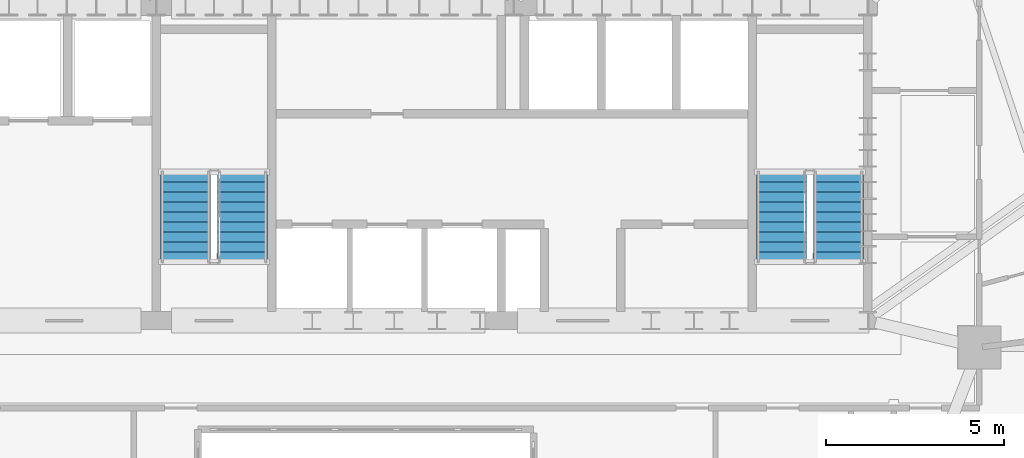
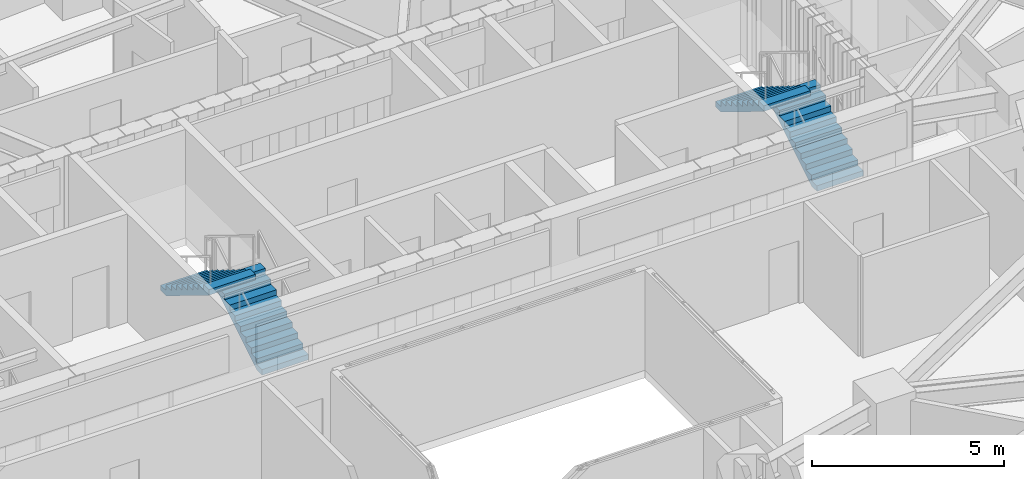
# One storey, part 9 of 13: 4 stair flights, 2 elements without a shape of their own.
"""IFC4 building model written with IfcOpenShell, lengths in metres."""

from ifc_helpers import new_model, si_unit, direction, frame, origin, place, context, subcontext, project, spatial, polyline, outline, extrude, material, type_object, element, aggregate, save


model = new_model("IFC4")

# Units and contexts
model_context = context("Model", 3, precision=1e-05, world=origin(), true_north=direction((0.0, 1.0)))
body_context = subcontext(model_context, "Body", "Model", "MODEL_VIEW")
ifc_project = project(units=[si_unit("LENGTHUNIT", "METRE"), si_unit("AREAUNIT", "SQUARE_METRE"), si_unit("VOLUMEUNIT", "CUBIC_METRE"), si_unit("PLANEANGLEUNIT", "RADIAN"), si_unit("MASSUNIT", "GRAM", prefix="KILO")], contexts=[model_context])

# Site, building, storey
site_placement = place(None, origin())
site = spatial("IfcSite", under=ifc_project, at=site_placement, CompositionType="ELEMENT")
building_placement = place(site_placement, origin())
building = spatial("IfcBuilding", under=site, at=building_placement, Name="Haldorwick Loom Tower", CompositionType="ELEMENT")
storey_placement = place(building_placement, frame((0.0, 0.0, 142.550048828125)))
storey = spatial("IfcBuildingStorey", under=building, at=storey_placement, Name="L38", CompositionType="ELEMENT", Elevation=142.550048828125)

# Stair, stair flights
ifc_material = material(Name="Concrete C40 (40 MPa)", Category="concrete")
stair_type = type_object("IfcStairType", Name="STR-STR-CORE", PredefinedType="HALF_TURN_STAIR", material=ifc_material)
stair_1_placement = place(storey_placement, origin())
stair_1 = element("IfcStair", 1, at=stair_1_placement, inside=storey, type_object=stair_type, Name="L38 Exit Stair ST-02", PredefinedType="HALF_TURN_STAIR")
stair_flight_type = type_object("IfcStairFlightType", Name="STR-STF-1250", PredefinedType="STRAIGHT", material=ifc_material)
stair_flight_1_placement = place(storey_placement, frame((49.25, 28.39990234375, 0.0), z_axis=(0.0, 0.0, 1.0), x_axis=(0.0, 1.0, 0.0)))
stair_flight_1 = element("IfcStairFlight", 2, at=stair_flight_1_placement, type_object=stair_flight_type, Name="ST-02 flight 1", NumberOfRisers=10, NumberOfTreads=9, PredefinedType="STRAIGHT", RiserHeight=0.1725, TreadLength=0.28, context=body_context, shape_type="SweptSolid", body=[
    extrude(outline(polyline([(0.0, 0.0), (0.0, 0.172607421875), (0.280029296875, 0.172607421875), (0.280029296875, 0.344970703125), (0.56005859375, 0.344970703125), (0.56005859375, 0.517578125), (0.840087890625, 0.517578125), (0.840087890625, 0.68994140625), (1.1201171875, 0.68994140625), (1.1201171875, 0.862548828125), (1.39990234375, 0.862548828125), (1.39990234375, 1.034912109375), (1.679931640625, 1.034912109375), (1.679931640625, 1.20751953125), (1.9599609375, 1.20751953125), (1.9599609375, 1.3798828125), (2.239990234375, 1.3798828125), (2.239990234375, 1.552490234375), (2.52001953125, 1.552490234375), (2.52001953125, 1.72509765625), (2.52001953125, 1.37646484375), (0.285888671875, 0.0), (0.0, 0.0)])), frame((0.0, 0.699951171875, 0.0), z_axis=(0.0, -1.0, 0.0), x_axis=(1.0, 0.0, 0.0)), (0.0, 0.0, 1.0), 1.39990234375),
])
stair_flight_2_placement = place(storey_placement, frame((47.64990234375, 30.919921875, 1.724853515625), z_axis=(0.0, 0.0, 1.0), x_axis=(0.0, -1.0, 0.0)))
stair_flight_2 = element("IfcStairFlight", 3, at=stair_flight_2_placement, type_object=stair_flight_type, Name="ST-02 flight 2", NumberOfRisers=10, NumberOfTreads=9, PredefinedType="STRAIGHT", RiserHeight=0.1725, TreadLength=0.28, context=body_context, shape_type="SweptSolid", body=[
    extrude(outline(polyline([(0.0, 0.0), (0.0, 0.172607421875), (0.280029296875, 0.172607421875), (0.280029296875, 0.344970703125), (0.56005859375, 0.344970703125), (0.56005859375, 0.517578125), (0.840087890625, 0.517578125), (0.840087890625, 0.68994140625), (1.1201171875, 0.68994140625), (1.1201171875, 0.862548828125), (1.39990234375, 0.862548828125), (1.39990234375, 1.034912109375), (1.679931640625, 1.034912109375), (1.679931640625, 1.20751953125), (1.9599609375, 1.20751953125), (1.9599609375, 1.3798828125), (2.239990234375, 1.3798828125), (2.239990234375, 1.552490234375), (2.52001953125, 1.552490234375), (2.52001953125, 1.72509765625), (2.52001953125, 1.37646484375), (0.285888671875, 0.0), (0.0, 0.0)])), frame((0.0, 0.699951171875, 0.0), z_axis=(0.0, -1.0, 0.0), x_axis=(1.0, 0.0, 0.0)), (0.0, 0.0, 1.0), 1.39990234375),
])
aggregate(stair_1, [stair_flight_1, stair_flight_2])

stair_2_placement = place(storey_placement, origin())
stair_2 = element("IfcStair", 4, at=stair_2_placement, inside=storey, type_object=stair_type, Name="L38 Exit Stair ST-03", PredefinedType="HALF_TURN_STAIR")
stair_flight_3_placement = place(storey_placement, frame((32.550048828125, 28.39990234375, 0.0), z_axis=(0.0, 0.0, 1.0), x_axis=(0.0, 1.0, 0.0)))
stair_flight_3 = element("IfcStairFlight", 5, at=stair_flight_3_placement, type_object=stair_flight_type, Name="ST-03 flight 1", NumberOfRisers=10, NumberOfTreads=9, PredefinedType="STRAIGHT", RiserHeight=0.1725, TreadLength=0.28, context=body_context, shape_type="SweptSolid", body=[
    extrude(outline(polyline([(0.0, 0.0), (0.0, 0.172607421875), (0.280029296875, 0.172607421875), (0.280029296875, 0.344970703125), (0.56005859375, 0.344970703125), (0.56005859375, 0.517578125), (0.840087890625, 0.517578125), (0.840087890625, 0.68994140625), (1.1201171875, 0.68994140625), (1.1201171875, 0.862548828125), (1.39990234375, 0.862548828125), (1.39990234375, 1.034912109375), (1.679931640625, 1.034912109375), (1.679931640625, 1.20751953125), (1.9599609375, 1.20751953125), (1.9599609375, 1.3798828125), (2.239990234375, 1.3798828125), (2.239990234375, 1.552490234375), (2.52001953125, 1.552490234375), (2.52001953125, 1.72509765625), (2.52001953125, 1.37646484375), (0.285888671875, 0.0), (0.0, 0.0)])), frame((0.0, 0.699951171875, 0.0), z_axis=(0.0, -1.0, 0.0), x_axis=(1.0, 0.0, 0.0)), (0.0, 0.0, 1.0), 1.39990234375),
])
stair_flight_4_placement = place(storey_placement, frame((30.949951171875, 30.919921875, 1.724853515625), z_axis=(0.0, 0.0, 1.0), x_axis=(0.0, -1.0, 0.0)))
stair_flight_4 = element("IfcStairFlight", 6, at=stair_flight_4_placement, type_object=stair_flight_type, Name="ST-03 flight 2", NumberOfRisers=10, NumberOfTreads=9, PredefinedType="STRAIGHT", RiserHeight=0.1725, TreadLength=0.28, context=body_context, shape_type="SweptSolid", body=[
    extrude(outline(polyline([(0.0, 0.0), (0.0, 0.172607421875), (0.280029296875, 0.172607421875), (0.280029296875, 0.344970703125), (0.56005859375, 0.344970703125), (0.56005859375, 0.517578125), (0.840087890625, 0.517578125), (0.840087890625, 0.68994140625), (1.1201171875, 0.68994140625), (1.1201171875, 0.862548828125), (1.39990234375, 0.862548828125), (1.39990234375, 1.034912109375), (1.679931640625, 1.034912109375), (1.679931640625, 1.20751953125), (1.9599609375, 1.20751953125), (1.9599609375, 1.3798828125), (2.239990234375, 1.3798828125), (2.239990234375, 1.552490234375), (2.52001953125, 1.552490234375), (2.52001953125, 1.72509765625), (2.52001953125, 1.37646484375), (0.285888671875, 0.0), (0.0, 0.0)])), frame((0.0, 0.699951171875, 0.0), z_axis=(0.0, -1.0, 0.0), x_axis=(1.0, 0.0, 0.0)), (0.0, 0.0, 1.0), 1.39990234375),
])
aggregate(stair_2, [stair_flight_3, stair_flight_4])

save(model, "model.ifc")
